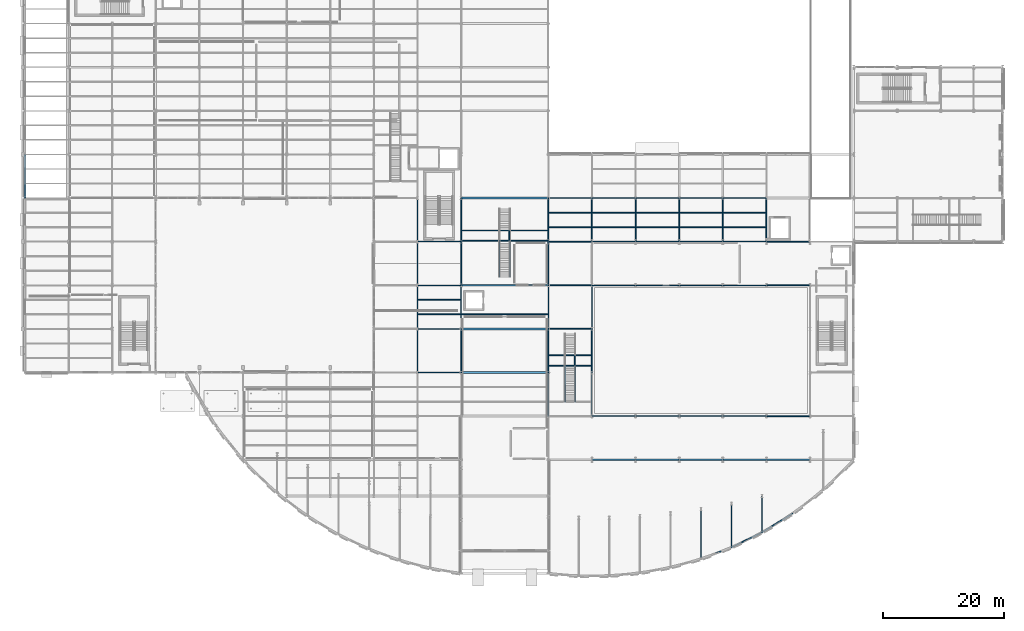
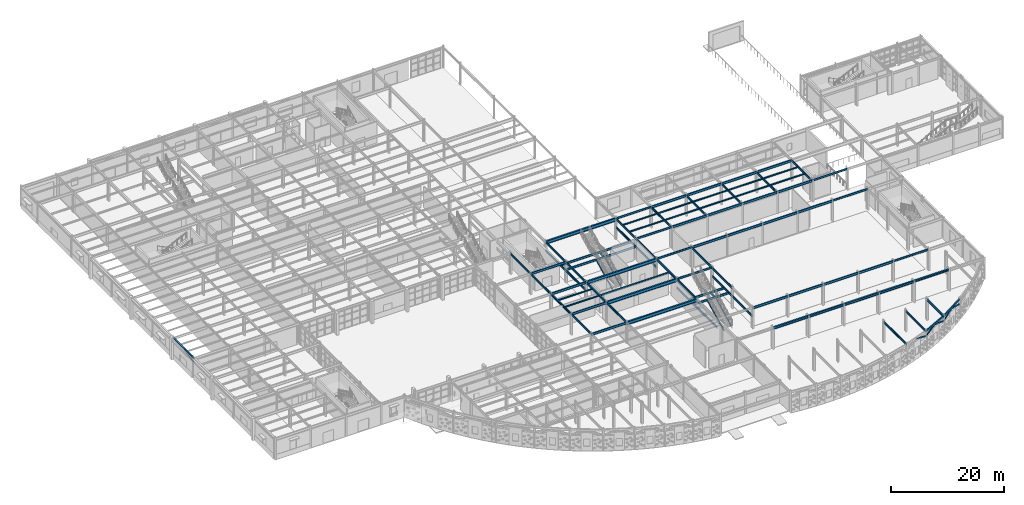
# One storey, part 34 of 83: 84 beams, 10 members.
"""IFC4 building model written with IfcOpenShell, lengths in metres."""

from ifc_helpers import new_model, si_unit, direction, frame, origin, origin_2d, place, context, subcontext, project, spatial, hollow_rectangle, i_section, extrude, material, material_profile, profile_set, type_object, element, save


model = new_model("IFC4")

# Units and contexts
model_context = context("Model", 3, precision=1e-05, world=origin(), true_north=direction((0.0, 1.0)))
body_context = subcontext(model_context, "Body", "Model", "MODEL_VIEW")
ifc_project = project(units=[si_unit("LENGTHUNIT", "METRE"), si_unit("AREAUNIT", "SQUARE_METRE"), si_unit("VOLUMEUNIT", "CUBIC_METRE"), si_unit("PLANEANGLEUNIT", "RADIAN"), si_unit("MASSUNIT", "GRAM", prefix="KILO")], contexts=[model_context])

# Site, building, storey
site_placement = place(None, origin())
site = spatial("IfcSite", under=ifc_project, at=site_placement, CompositionType="ELEMENT")
building_placement = place(site_placement, origin())
building = spatial("IfcBuilding", under=site, at=building_placement, Name="Solvadek Multi-Sports Hall", CompositionType="ELEMENT")
storey_placement = place(building_placement, origin())
storey = spatial("IfcBuildingStorey", under=building, at=storey_placement, Name="L00", CompositionType="ELEMENT", Elevation=0.0)

# Members
ifc_material_1 = material(Name="Steel E250 (250 MPa)", Category="steel")
ifc_material_profile_1 = material_profile(ifc_material_1, hollow_rectangle(XDim=0.14990234375, YDim=0.300048828125, WallThickness=0.010009765625, at=origin_2d()), Name="RHS 300x150x10")
ifc_profile_set_1 = profile_set([ifc_material_profile_1], Name="Steel E250 (250 MPa)")
member_type_1 = type_object("IfcMemberType", Name="INT-SGR-RHS300", PredefinedType="STRINGER", material=ifc_profile_set_1)
for number, where, z_axis, x_axis, name in (
    (1, (80.06494140625, 36.199951171875, -0.47998046875), (0.0, 0.889594277136, 0.456751597793), (-1.0, 0.0, 0.0), "Stair ST-07 Steel Stringer #1"),
    (2, (78.3349609375, 36.199951171875, -0.47998046875), (0.0, 0.889594277136, 0.456751597793), (-1.0, 0.0, 0.0), "Stair ST-07 Steel Stringer #2"),
    (3, (90.840087890625, 15.60009765625, -0.47998046875), (0.0, 0.889594277136, 0.456751597793), (-1.0, 0.0, 0.0), "Stair ST-09 Steel Stringer #5"),
    (4, (89.159912109375, 15.60009765625, -0.47998046875), (0.0, 0.889594277136, 0.456751597793), (-1.0, 0.0, 0.0), "Stair ST-09 Steel Stringer #6"),
):
    element("IfcMember", number, at=place(storey_placement, frame(where, z_axis=z_axis, x_axis=x_axis)), inside=storey, type_object=member_type_1, Name=name, PredefinedType="STRINGER", context=body_context, shape_type="SweptSolid", body=[
        extrude(hollow_rectangle(XDim=0.14990234375, YDim=0.300048828125, WallThickness=0.010009765625, at=origin_2d()), origin(), (0.0, 0.0, 1.0), 6.6884765625),
    ])
ifc_material_2 = material(Name="Steel E350 (350 MPa)", Category="steel")
ifc_material_profile_2 = material_profile(ifc_material_2, hollow_rectangle(XDim=0.14990234375, YDim=0.25, WallThickness=0.010009765625, at=origin_2d()), Name="RHS 250x150x10")
ifc_profile_set_2 = profile_set([ifc_material_profile_2], Name="Steel E350 (350 MPa)")
member_type_2 = type_object("IfcMemberType", Name="STR-ARC-RHS250", PredefinedType="USERDEFINED", material=ifc_profile_set_2)
member_1_placement = place(storey_placement, frame((114.1201171875, -9.39599609375, 4.219970703125), z_axis=(0.890332949861, 0.335912848247, -0.307359393504), x_axis=(-0.353000357457, 0.935623186777, 0.0)))
element("IfcMember", 5, at=member_1_placement, inside=storey, type_object=member_type_2, Name="Crescent Pointed Revak Arch E-6R", ObjectType="ARCH_SEGMENT", PredefinedType="USERDEFINED", context=body_context, shape_type="SweptSolid", body=[
    extrude(hollow_rectangle(XDim=0.14990234375, YDim=0.25, WallThickness=0.010009765625, at=origin_2d()), origin(), (0.0, 0.0, 1.0), 2.830078125),
])
for number, where, z_axis, x_axis, name in (
    (6, (116.639892578125, -8.4453125, 3.35009765625), (0.857871765846, 0.419959894674, 0.296124501231), (-0.43967982066, 0.898154583189, 0.0), "Crescent Pointed Revak Arch E-7L"),
    (7, (119.159912109375, -7.211669921875, 4.219970703125), (0.857871765846, 0.419959894674, -0.296124501231), (-0.43967982066, 0.898154583189, 0.0), "Crescent Pointed Revak Arch E-7R"),
):
    element("IfcMember", number, at=place(storey_placement, frame(where, z_axis=z_axis, x_axis=x_axis)), inside=storey, type_object=member_type_2, Name=name, ObjectType="ARCH_SEGMENT", PredefinedType="USERDEFINED", context=body_context, shape_type="SweptSolid", body=[
        extrude(hollow_rectangle(XDim=0.14990234375, YDim=0.25, WallThickness=0.010009765625, at=origin_2d()), origin(), (0.0, 0.0, 1.0), 2.9375),
    ])
member_2_placement = place(storey_placement, frame((121.679931640625, -5.97802734375, 3.35009765625), z_axis=(0.815780244942, 0.505179938546, 0.281595137835), x_axis=(-0.52648504415, 0.850184390757, 0.0)))
element("IfcMember", 8, at=member_2_placement, inside=storey, type_object=member_type_2, Name="Crescent Pointed Revak Arch E-8L", ObjectType="ARCH_SEGMENT", PredefinedType="USERDEFINED", context=body_context, shape_type="SweptSolid", body=[
    extrude(hollow_rectangle(XDim=0.14990234375, YDim=0.25, WallThickness=0.010009765625, at=origin_2d()), origin(), (0.0, 0.0, 1.0), 3.089111328125),
])
member_3_placement = place(storey_placement, frame((124.199951171875, -4.41748046875, 4.219970703125), z_axis=(0.815812815159, 0.505121071661, -0.281606380586), x_axis=(-0.526425504843, 0.850221258174, 0.0)))
element("IfcMember", 9, at=member_3_placement, inside=storey, type_object=member_type_2, Name="Crescent Pointed Revak Arch E-8R", ObjectType="ARCH_SEGMENT", PredefinedType="USERDEFINED", context=body_context, shape_type="SweptSolid", body=[
    extrude(hollow_rectangle(XDim=0.14990234375, YDim=0.25, WallThickness=0.010009765625, at=origin_2d()), origin(), (0.0, 0.0, 1.0), 3.0888671875),
])
member_4_placement = place(storey_placement, frame((0.0, 49.199951171875, 3.550048828125), z_axis=(0.0, 0.983123357379, 0.182943882588), x_axis=(-1.0, 0.0, 0.0)))
element("IfcMember", 10, at=member_4_placement, inside=storey, type_object=member_type_2, Name="L00 West Facade Pointed Ottoman Arch 5L", ObjectType="ARCH_SEGMENT", PredefinedType="USERDEFINED", context=body_context, shape_type="SweptSolid", body=[
    extrude(hollow_rectangle(XDim=0.14990234375, YDim=0.25, WallThickness=0.010009765625, at=origin_2d()), origin(), (0.0, 0.0, 1.0), 3.661865234375),
])

# Beams
ifc_material_profile_3 = material_profile(ifc_material_2, i_section(OverallWidth=0.139892578125, OverallDepth=0.39990234375, WebThickness=0.0087890625, FlangeThickness=0.01611328125, at=origin_2d()), Name="ISMB 400")
ifc_profile_set_3 = profile_set([ifc_material_profile_3], Name="Steel E350 (350 MPa)")
beam_type_1 = type_object("IfcBeamType", Name="STR-BM-ISMB400", PredefinedType="BEAM", material=ifc_profile_set_3)
for number, where, z_axis, x_axis, name in (
    (11, (122.39990234375, 13.199951171875, 4.3798828125), (1.0, 0.0, 0.0), (0.0, 1.0, 0.0), "L00 Girder B-10 #554"),
    (12, (86.39990234375, 27.60009765625, 4.3798828125), (1.0, 0.0, 0.0), (0.0, 1.0, 0.0), "L00 Girder B-10 #573"),
    (13, (86.39990234375, 34.800048828125, 4.3798828125), (1.0, 0.0, 0.0), (0.0, 1.0, 0.0), "L00 Girder B-10 #580"),
    (14, (122.39990234375, 34.800048828125, 4.3798828125), (1.0, 0.0, 0.0), (0.0, 1.0, 0.0), "L00 Girder B-10 #585"),
    (15, (86.39990234375, 42.0, 4.3798828125), (1.0, 0.0, 0.0), (0.0, 1.0, 0.0), "L00 Girder B-10 #592"),
    (16, (122.39990234375, 42.0, 4.3798828125), (1.0, 0.0, 0.0), (0.0, 1.0, 0.0), "L00 Girder B-10 #597"),
    (17, (86.39990234375, 49.199951171875, 4.3798828125), (1.0, 0.0, 0.0), (0.0, 1.0, 0.0), "L00 Girder B-10 #613"),
):
    element("IfcBeam", number, at=place(storey_placement, frame(where, z_axis=z_axis, x_axis=x_axis)), inside=storey, type_object=beam_type_1, Name=name, PredefinedType="BEAM", context=body_context, shape_type="SweptSolid", body=[
        extrude(i_section(OverallWidth=0.139892578125, OverallDepth=0.39990234375, WebThickness=0.0087890625, FlangeThickness=0.01611328125, at=origin_2d()), origin(), (0.0, 0.0, 1.0), 7.2001953125),
    ])
ifc_material_profile_4 = material_profile(ifc_material_2, i_section(OverallWidth=0.14990234375, OverallDepth=0.449951171875, WebThickness=0.009521484375, FlangeThickness=0.017333984375, at=origin_2d()), Name="ISMB 450")
ifc_profile_set_4 = profile_set([ifc_material_profile_4], Name="Steel E350 (350 MPa)")
beam_type_2 = type_object("IfcBeamType", Name="STR-BM-ISMB450", PredefinedType="BEAM", material=ifc_profile_set_4)
beam_1_placement = place(storey_placement, frame((64.800048828125, 20.39990234375, 4.35498046875), z_axis=(0.0, 1.0, 0.0), x_axis=(-1.0, 0.0, 0.0)))
element("IfcBeam", 18, at=beam_1_placement, inside=storey, type_object=beam_type_2, Name="L00 Girder B-09 #842", PredefinedType="BEAM", context=body_context, shape_type="SweptSolid", body=[
    extrude(i_section(OverallWidth=0.14990234375, OverallDepth=0.449951171875, WebThickness=0.009521484375, FlangeThickness=0.017333984375, at=origin_2d()), origin(), (0.0, 0.0, 1.0), 7.2001953125),
])
for number, where, z_axis, x_axis, name in (
    (19, (64.800048828125, 34.800048828125, 4.35498046875), (0.0, 1.0, 0.0), (-1.0, 0.0, 0.0), "L00 Girder B-09 #844"),
    (20, (64.800048828125, 42.0, 4.35498046875), (0.0, 1.0, 0.0), (-1.0, 0.0, 0.0), "L00 Girder B-09 #845"),
):
    element("IfcBeam", number, at=place(storey_placement, frame(where, z_axis=z_axis, x_axis=x_axis)), inside=storey, type_object=beam_type_2, Name=name, PredefinedType="BEAM", context=body_context, shape_type="SweptSolid", body=[
        extrude(i_section(OverallWidth=0.14990234375, OverallDepth=0.449951171875, WebThickness=0.009521484375, FlangeThickness=0.017333984375, at=origin_2d()), origin(), (0.0, 0.0, 1.0), 7.199951171875),
    ])
beam_2_placement = place(storey_placement, frame((72.0, 20.39990234375, 4.35498046875), z_axis=(0.0, 1.0, 0.0), x_axis=(-1.0, 0.0, 0.0)))
element("IfcBeam", 21, at=beam_2_placement, inside=storey, type_object=beam_type_2, Name="L00 Girder B-09 #862", PredefinedType="BEAM", context=body_context, shape_type="SweptSolid", body=[
    extrude(i_section(OverallWidth=0.14990234375, OverallDepth=0.449951171875, WebThickness=0.009521484375, FlangeThickness=0.017333984375, at=origin_2d()), origin(), (0.0, 0.0, 1.0), 7.2001953125),
])
for number, where, z_axis, x_axis, name in (
    (22, (72.0, 34.800048828125, 4.35498046875), (0.0, 1.0, 0.0), (-1.0, 0.0, 0.0), "L00 Girder B-09 #864"),
    (23, (72.0, 42.0, 4.35498046875), (0.0, 1.0, 0.0), (-1.0, 0.0, 0.0), "L00 Girder B-09 #865"),
):
    element("IfcBeam", number, at=place(storey_placement, frame(where, z_axis=z_axis, x_axis=x_axis)), inside=storey, type_object=beam_type_2, Name=name, PredefinedType="BEAM", context=body_context, shape_type="SweptSolid", body=[
        extrude(i_section(OverallWidth=0.14990234375, OverallDepth=0.449951171875, WebThickness=0.009521484375, FlangeThickness=0.017333984375, at=origin_2d()), origin(), (0.0, 0.0, 1.0), 7.199951171875),
    ])
beam_3_placement = place(storey_placement, frame((86.39990234375, 20.39990234375, 4.35498046875), z_axis=(0.0, 1.0, 0.0), x_axis=(-1.0, 0.0, 0.0)))
element("IfcBeam", 24, at=beam_3_placement, inside=storey, type_object=beam_type_2, Name="L00 Girder B-09 #880", PredefinedType="BEAM", context=body_context, shape_type="SweptSolid", body=[
    extrude(i_section(OverallWidth=0.14990234375, OverallDepth=0.449951171875, WebThickness=0.009521484375, FlangeThickness=0.017333984375, at=origin_2d()), origin(), (0.0, 0.0, 1.0), 7.2001953125),
])
for number, where, z_axis, x_axis, name in (
    (25, (86.39990234375, 34.800048828125, 4.35498046875), (0.0, 1.0, 0.0), (-1.0, 0.0, 0.0), "L00 Girder B-09 #882"),
    (26, (86.39990234375, 42.0, 4.35498046875), (0.0, 1.0, 0.0), (-1.0, 0.0, 0.0), "L00 Girder B-09 #883"),
):
    element("IfcBeam", number, at=place(storey_placement, frame(where, z_axis=z_axis, x_axis=x_axis)), inside=storey, type_object=beam_type_2, Name=name, PredefinedType="BEAM", context=body_context, shape_type="SweptSolid", body=[
        extrude(i_section(OverallWidth=0.14990234375, OverallDepth=0.449951171875, WebThickness=0.009521484375, FlangeThickness=0.017333984375, at=origin_2d()), origin(), (0.0, 0.0, 1.0), 7.199951171875),
    ])
beam_4_placement = place(storey_placement, frame((93.60009765625, 20.39990234375, 4.35498046875), z_axis=(0.0, 1.0, 0.0), x_axis=(-1.0, 0.0, 0.0)))
element("IfcBeam", 27, at=beam_4_placement, inside=storey, type_object=beam_type_2, Name="L00 Girder B-09 #895", PredefinedType="BEAM", context=body_context, shape_type="SweptSolid", body=[
    extrude(i_section(OverallWidth=0.14990234375, OverallDepth=0.449951171875, WebThickness=0.009521484375, FlangeThickness=0.017333984375, at=origin_2d()), origin(), (0.0, 0.0, 1.0), 7.2001953125),
])
for number, where, z_axis, x_axis, name in (
    (28, (93.60009765625, 42.0, 4.35498046875), (0.0, 1.0, 0.0), (-1.0, 0.0, 0.0), "L00 Girder B-09 #898"),
    (29, (100.800048828125, 42.0, 4.35498046875), (0.0, 1.0, 0.0), (-1.0, 0.0, 0.0), "L00 Girder B-09 #903"),
    (30, (108.0, 42.0, 4.35498046875), (0.0, 1.0, 0.0), (-1.0, 0.0, 0.0), "L00 Girder B-09 #909"),
):
    element("IfcBeam", number, at=place(storey_placement, frame(where, z_axis=z_axis, x_axis=x_axis)), inside=storey, type_object=beam_type_2, Name=name, PredefinedType="BEAM", context=body_context, shape_type="SweptSolid", body=[
        extrude(i_section(OverallWidth=0.14990234375, OverallDepth=0.449951171875, WebThickness=0.009521484375, FlangeThickness=0.017333984375, at=origin_2d()), origin(), (0.0, 0.0, 1.0), 7.199951171875),
    ])
beam_5_placement = place(storey_placement, frame((111.60009765625, -10.346435546875, 4.35498046875), z_axis=(0.0, 1.0, 0.0), x_axis=(-1.0, 0.0, 0.0)))
element("IfcBeam", 31, at=beam_5_placement, inside=storey, type_object=beam_type_2, Name="L00 Girder B-09 #911", PredefinedType="BEAM", context=body_context, shape_type="SweptSolid", body=[
    extrude(i_section(OverallWidth=0.14990234375, OverallDepth=0.449951171875, WebThickness=0.009521484375, FlangeThickness=0.017333984375, at=origin_2d()), origin(), (0.0, 0.0, 1.0), 8.173095703125),
])
beam_6_placement = place(storey_placement, frame((115.199951171875, 42.0, 4.35498046875), z_axis=(0.0, 1.0, 0.0), x_axis=(-1.0, 0.0, 0.0)))
element("IfcBeam", 32, at=beam_6_placement, inside=storey, type_object=beam_type_2, Name="L00 Girder B-09 #914", PredefinedType="BEAM", context=body_context, shape_type="SweptSolid", body=[
    extrude(i_section(OverallWidth=0.14990234375, OverallDepth=0.449951171875, WebThickness=0.009521484375, FlangeThickness=0.017333984375, at=origin_2d()), origin(), (0.0, 0.0, 1.0), 7.199951171875),
])
beam_7_placement = place(storey_placement, frame((116.639892578125, -8.4453125, 4.35498046875), z_axis=(0.0, 1.0, 0.0), x_axis=(-1.0, 0.0, 0.0)))
element("IfcBeam", 33, at=beam_7_placement, inside=storey, type_object=beam_type_2, Name="L00 Girder B-09 #916", PredefinedType="BEAM", context=body_context, shape_type="SweptSolid", body=[
    extrude(i_section(OverallWidth=0.14990234375, OverallDepth=0.449951171875, WebThickness=0.009521484375, FlangeThickness=0.017333984375, at=origin_2d()), origin(), (0.0, 0.0, 1.0), 7.22265625),
])
beam_8_placement = place(storey_placement, frame((122.39990234375, 42.0, 4.35498046875), z_axis=(0.0, 1.0, 0.0), x_axis=(-1.0, 0.0, 0.0)))
element("IfcBeam", 34, at=beam_8_placement, inside=storey, type_object=beam_type_2, Name="L00 Girder B-09 #920", PredefinedType="BEAM", context=body_context, shape_type="SweptSolid", body=[
    extrude(i_section(OverallWidth=0.14990234375, OverallDepth=0.449951171875, WebThickness=0.009521484375, FlangeThickness=0.017333984375, at=origin_2d()), origin(), (0.0, 0.0, 1.0), 7.199951171875),
])
ifc_material_profile_5 = material_profile(ifc_material_2, i_section(OverallWidth=0.179931640625, OverallDepth=0.5, WebThickness=0.01025390625, FlangeThickness=0.01708984375, at=origin_2d()), Name="ISMB 500")
ifc_profile_set_5 = profile_set([ifc_material_profile_5], Name="Steel E350 (350 MPa)")
beam_type_3 = type_object("IfcBeamType", Name="STR-BM-ISMB500", PredefinedType="BEAM", material=ifc_profile_set_5)
for number, where, z_axis, x_axis, name in (
    (35, (93.60009765625, 13.199951171875, 4.330078125), (1.0, 0.0, 0.0), (0.0, 1.0, 0.0), "L00 Girder B-07 #550"),
    (36, (100.800048828125, 13.199951171875, 4.330078125), (1.0, 0.0, 0.0), (0.0, 1.0, 0.0), "L00 Girder B-07 #551"),
    (37, (108.0, 13.199951171875, 4.330078125), (1.0, 0.0, 0.0), (0.0, 1.0, 0.0), "L00 Girder B-07 #552"),
    (38, (115.199951171875, 13.199951171875, 4.330078125), (1.0, 0.0, 0.0), (0.0, 1.0, 0.0), "L00 Girder B-07 #553"),
    (39, (64.800048828125, 20.39990234375, 4.330078125), (1.0, 0.0, 0.0), (0.0, 1.0, 0.0), "L00 Girder B-07 #565"),
    (40, (64.800048828125, 27.60009765625, 4.330078125), (1.0, 0.0, 0.0), (0.0, 1.0, 0.0), "L00 Girder B-07 #571"),
    (41, (64.800048828125, 34.800048828125, 4.330078125), (1.0, 0.0, 0.0), (0.0, 1.0, 0.0), "L00 Girder B-07 #578"),
    (42, (93.60009765625, 34.800048828125, 4.330078125), (1.0, 0.0, 0.0), (0.0, 1.0, 0.0), "L00 Girder B-07 #581"),
    (43, (100.800048828125, 34.800048828125, 4.330078125), (1.0, 0.0, 0.0), (0.0, 1.0, 0.0), "L00 Girder B-07 #582"),
    (44, (108.0, 34.800048828125, 4.330078125), (1.0, 0.0, 0.0), (0.0, 1.0, 0.0), "L00 Girder B-07 #583"),
    (45, (115.199951171875, 34.800048828125, 4.330078125), (1.0, 0.0, 0.0), (0.0, 1.0, 0.0), "L00 Girder B-07 #584"),
    (46, (64.800048828125, 42.0, 4.330078125), (1.0, 0.0, 0.0), (0.0, 1.0, 0.0), "L00 Girder B-07 #591"),
    (47, (93.60009765625, 42.0, 4.330078125), (1.0, 0.0, 0.0), (0.0, 1.0, 0.0), "L00 Girder B-07 #593"),
    (48, (100.800048828125, 42.0, 4.330078125), (1.0, 0.0, 0.0), (0.0, 1.0, 0.0), "L00 Girder B-07 #594"),
    (49, (108.0, 42.0, 4.330078125), (1.0, 0.0, 0.0), (0.0, 1.0, 0.0), "L00 Girder B-07 #595"),
    (50, (115.199951171875, 42.0, 4.330078125), (1.0, 0.0, 0.0), (0.0, 1.0, 0.0), "L00 Girder B-07 #596"),
    (51, (93.60009765625, 49.199951171875, 4.330078125), (1.0, 0.0, 0.0), (0.0, 1.0, 0.0), "L00 Girder B-07 #614"),
    (52, (100.800048828125, 49.199951171875, 4.330078125), (1.0, 0.0, 0.0), (0.0, 1.0, 0.0), "L00 Girder B-07 #615"),
    (53, (108.0, 49.199951171875, 4.330078125), (1.0, 0.0, 0.0), (0.0, 1.0, 0.0), "L00 Girder B-07 #616"),
    (54, (115.199951171875, 49.199951171875, 4.330078125), (1.0, 0.0, 0.0), (0.0, 1.0, 0.0), "L00 Girder B-07 #617"),
):
    element("IfcBeam", number, at=place(storey_placement, frame(where, z_axis=z_axis, x_axis=x_axis)), inside=storey, type_object=beam_type_3, Name=name, PredefinedType="BEAM", context=body_context, shape_type="SweptSolid", body=[
        extrude(i_section(OverallWidth=0.179931640625, OverallDepth=0.5, WebThickness=0.01025390625, FlangeThickness=0.01708984375, at=origin_2d()), origin(), (0.0, 0.0, 1.0), 7.199951171875),
    ])
ifc_material_profile_6 = material_profile(ifc_material_2, i_section(OverallWidth=0.14990234375, OverallDepth=0.449951171875, WebThickness=0.009521484375, FlangeThickness=0.017333984375, at=origin_2d()), Name="ISMB 450")
ifc_profile_set_6 = profile_set([ifc_material_profile_6], Name="Steel E350 (350 MPa)")
beam_type_4 = type_object("IfcBeamType", Name="STR-BM-LND450", PredefinedType="BEAM", material=ifc_profile_set_6)
for number, where, z_axis, x_axis, name in (
    (55, (72.0, 34.800048828125, 2.574951171875), (0.0, 1.0, 0.0), (-1.0, 0.0, 0.0), "Stair ST-07 Landing Edge Girder #1"),
    (56, (86.39990234375, 34.800048828125, 2.574951171875), (0.0, 1.0, 0.0), (-1.0, 0.0, 0.0), "Stair ST-07 Landing Edge Girder #2"),
):
    element("IfcBeam", number, at=place(storey_placement, frame(where, z_axis=z_axis, x_axis=x_axis)), inside=storey, type_object=beam_type_4, Name=name, PredefinedType="BEAM", context=body_context, shape_type="SweptSolid", body=[
        extrude(i_section(OverallWidth=0.14990234375, OverallDepth=0.449951171875, WebThickness=0.009521484375, FlangeThickness=0.017333984375, at=origin_2d()), origin(), (0.0, 0.0, 1.0), 14.39990234375),
    ])
for number, where, z_axis, x_axis, name in (
    (57, (72.074951171875, 42.14990234375, 2.574951171875), (1.0, 0.0, 0.0), (0.0, 1.0, 0.0), "Stair ST-07 Landing Trimmer Girder #1"),
    (58, (72.074951171875, 43.85009765625, 2.574951171875), (1.0, 0.0, 0.0), (0.0, 1.0, 0.0), "Stair ST-07 Landing Trimmer Girder #2"),
):
    element("IfcBeam", number, at=place(storey_placement, frame(where, z_axis=z_axis, x_axis=x_axis)), inside=storey, type_object=beam_type_4, Name=name, PredefinedType="BEAM", context=body_context, shape_type="SweptSolid", body=[
        extrude(i_section(OverallWidth=0.14990234375, OverallDepth=0.449951171875, WebThickness=0.009521484375, FlangeThickness=0.017333984375, at=origin_2d()), origin(), (0.0, 0.0, 1.0), 14.25),
    ])
beam_9_placement = place(storey_placement, frame((79.97705078125, 42.22509765625, 2.574951171875), z_axis=(0.0, 1.0, 0.0), x_axis=(-1.0, 0.0, 0.0)))
element("IfcBeam", 59, at=beam_9_placement, inside=storey, type_object=beam_type_4, Name="Stair ST-07 Landing Diaphragm Rib", PredefinedType="BEAM", context=body_context, shape_type="SweptSolid", body=[
    extrude(i_section(OverallWidth=0.14990234375, OverallDepth=0.449951171875, WebThickness=0.009521484375, FlangeThickness=0.017333984375, at=origin_2d()), origin(), (0.0, 0.0, 1.0), 1.5498046875),
])
for number, where, z_axis, x_axis, name in (
    (60, (86.39990234375, 13.199951171875, 2.574951171875), (0.0, 1.0, 0.0), (-1.0, 0.0, 0.0), "Stair ST-09 Landing Edge Girder #1"),
    (61, (93.60009765625, 13.199951171875, 2.574951171875), (0.0, 1.0, 0.0), (-1.0, 0.0, 0.0), "Stair ST-09 Landing Edge Girder #2"),
):
    element("IfcBeam", number, at=place(storey_placement, frame(where, z_axis=z_axis, x_axis=x_axis)), inside=storey, type_object=beam_type_4, Name=name, PredefinedType="BEAM", context=body_context, shape_type="SweptSolid", body=[
        extrude(i_section(OverallWidth=0.14990234375, OverallDepth=0.449951171875, WebThickness=0.009521484375, FlangeThickness=0.017333984375, at=origin_2d()), origin(), (0.0, 0.0, 1.0), 14.400146484375),
    ])
for number, where, z_axis, x_axis, name in (
    (62, (86.47509765625, 21.550048828125, 2.574951171875), (1.0, 0.0, 0.0), (0.0, 1.0, 0.0), "Stair ST-09 Landing Trimmer Girder #1"),
    (63, (86.47509765625, 23.25, 2.574951171875), (1.0, 0.0, 0.0), (0.0, 1.0, 0.0), "Stair ST-09 Landing Trimmer Girder #2"),
):
    element("IfcBeam", number, at=place(storey_placement, frame(where, z_axis=z_axis, x_axis=x_axis)), inside=storey, type_object=beam_type_4, Name=name, PredefinedType="BEAM", context=body_context, shape_type="SweptSolid", body=[
        extrude(i_section(OverallWidth=0.14990234375, OverallDepth=0.449951171875, WebThickness=0.009521484375, FlangeThickness=0.017333984375, at=origin_2d()), origin(), (0.0, 0.0, 1.0), 7.0498046875),
    ])
beam_10_placement = place(storey_placement, frame((90.756103515625, 21.625, 2.574951171875), z_axis=(0.0, 1.0, 0.0), x_axis=(-1.0, 0.0, 0.0)))
element("IfcBeam", 64, at=beam_10_placement, inside=storey, type_object=beam_type_4, Name="Stair ST-09 Landing Diaphragm Rib", PredefinedType="BEAM", context=body_context, shape_type="SweptSolid", body=[
    extrude(i_section(OverallWidth=0.14990234375, OverallDepth=0.449951171875, WebThickness=0.009521484375, FlangeThickness=0.017333984375, at=origin_2d()), origin(), (0.0, 0.0, 1.0), 1.550048828125),
])
ifc_material_profile_7 = material_profile(ifc_material_2, i_section(OverallWidth=0.18994140625, OverallDepth=0.449951171875, WebThickness=0.009521484375, FlangeThickness=0.0146484375, at=origin_2d()), Name="NPB 450")
ifc_profile_set_7 = profile_set([ifc_material_profile_7], Name="Steel E350 (350 MPa)")
beam_type_5 = type_object("IfcBeamType", Name="STR-BM-NPB450", PredefinedType="BEAM", material=ifc_profile_set_7)
for number, where, z_axis, x_axis, name in (
    (65, (64.800048828125, 27.60009765625, 4.35498046875), (0.0, 1.0, 0.0), (-1.0, 0.0, 0.0), "L00 Girder B-08 #843"),
    (66, (72.0, 27.60009765625, 4.35498046875), (0.0, 1.0, 0.0), (-1.0, 0.0, 0.0), "L00 Girder B-08 #863"),
    (67, (86.39990234375, 27.60009765625, 4.35498046875), (0.0, 1.0, 0.0), (-1.0, 0.0, 0.0), "L00 Girder B-08 #881"),
    (68, (93.60009765625, 27.60009765625, 4.35498046875), (0.0, 1.0, 0.0), (-1.0, 0.0, 0.0), "L00 Girder B-08 #896"),
):
    element("IfcBeam", number, at=place(storey_placement, frame(where, z_axis=z_axis, x_axis=x_axis)), inside=storey, type_object=beam_type_5, Name=name, PredefinedType="BEAM", context=body_context, shape_type="SweptSolid", body=[
        extrude(i_section(OverallWidth=0.18994140625, OverallDepth=0.449951171875, WebThickness=0.009521484375, FlangeThickness=0.0146484375, at=origin_2d()), origin(), (0.0, 0.0, 1.0), 7.199951171875),
    ])
beam_11_placement = place(storey_placement, frame((121.679931640625, -5.97802734375, 4.35498046875), z_axis=(0.0, 1.0, 0.0), x_axis=(-1.0, 0.0, 0.0)))
element("IfcBeam", 69, at=beam_11_placement, inside=storey, type_object=beam_type_5, Name="L00 Girder B-08 #917", PredefinedType="BEAM", context=body_context, shape_type="SweptSolid", body=[
    extrude(i_section(OverallWidth=0.18994140625, OverallDepth=0.449951171875, WebThickness=0.009521484375, FlangeThickness=0.0146484375, at=origin_2d()), origin(), (0.0, 0.0, 1.0), 5.989013671875),
])
ifc_material_profile_8 = material_profile(ifc_material_2, i_section(OverallWidth=0.300048828125, OverallDepth=0.699951171875, WebThickness=0.01708984375, FlangeThickness=0.031982421875, at=origin_2d()), Name="WPB 700")
ifc_profile_set_8 = profile_set([ifc_material_profile_8], Name="Steel E350 (350 MPa)")
beam_type_6 = type_object("IfcBeamType", Name="STR-BM-WPB700", PredefinedType="BEAM", material=ifc_profile_set_8)
for number, where, z_axis, x_axis, name in (
    (70, (72.0, 20.39990234375, 4.22998046875), (1.0, 0.0, 0.0), (0.0, 1.0, 0.0), "L00 Girder B-01 #566"),
    (71, (72.0, 27.60009765625, 4.22998046875), (1.0, 0.0, 0.0), (0.0, 1.0, 0.0), "L00 Girder B-01 #572"),
    (72, (72.0, 34.800048828125, 4.22998046875), (1.0, 0.0, 0.0), (0.0, 1.0, 0.0), "L00 Girder B-01 #579"),
    (73, (72.0, 49.199951171875, 4.22998046875), (1.0, 0.0, 0.0), (0.0, 1.0, 0.0), "L00 Girder B-01 #612"),
):
    element("IfcBeam", number, at=place(storey_placement, frame(where, z_axis=z_axis, x_axis=x_axis)), inside=storey, type_object=beam_type_6, Name=name, PredefinedType="BEAM", context=body_context, shape_type="SweptSolid", body=[
        extrude(i_section(OverallWidth=0.300048828125, OverallDepth=0.699951171875, WebThickness=0.01708984375, FlangeThickness=0.031982421875, at=origin_2d()), origin(), (0.0, 0.0, 1.0), 14.39990234375),
    ])
ifc_material_profile_9 = material_profile(ifc_material_2, i_section(OverallWidth=0.139892578125, OverallDepth=0.300048828125, WebThickness=0.0078125, FlangeThickness=0.01318359375, at=origin_2d()), Name="ISMB 300")
ifc_profile_set_9 = profile_set([ifc_material_profile_9], Name="Steel E350 (350 MPa)")
beam_type_7 = type_object("IfcBeamType", Name="STR-JST-ISMB300", PredefinedType="JOIST", material=ifc_profile_set_9)
for number, where, z_axis, x_axis, name in (
    (74, (64.89501953125, 30.0, 4.429931640625), (1.0, 0.0, 0.0), (0.0, 1.0, 0.0), "L00 Composite Joist J-03 #410"),
    (75, (64.89501953125, 32.39990234375, 4.429931640625), (1.0, 0.0, 0.0), (0.0, 1.0, 0.0), "L00 Composite Joist J-03 #411"),
):
    element("IfcBeam", number, at=place(storey_placement, frame(where, z_axis=z_axis, x_axis=x_axis)), inside=storey, type_object=beam_type_7, Name=name, PredefinedType="JOIST", context=body_context, shape_type="SweptSolid", body=[
        extrude(i_section(OverallWidth=0.139892578125, OverallDepth=0.300048828125, WebThickness=0.0078125, FlangeThickness=0.01318359375, at=origin_2d()), origin(), (0.0, 0.0, 1.0), 7.010009765625),
    ])
for number, where, z_axis, x_axis, name in (
    (76, (86.47509765625, 44.39990234375, 4.429931640625), (1.0, 0.0, 0.0), (0.0, 1.0, 0.0), "L00 Composite Joist J-03 #432"),
    (77, (86.47509765625, 46.800048828125, 4.429931640625), (1.0, 0.0, 0.0), (0.0, 1.0, 0.0), "L00 Composite Joist J-03 #433"),
):
    element("IfcBeam", number, at=place(storey_placement, frame(where, z_axis=z_axis, x_axis=x_axis)), inside=storey, type_object=beam_type_7, Name=name, PredefinedType="JOIST", context=body_context, shape_type="SweptSolid", body=[
        extrude(i_section(OverallWidth=0.139892578125, OverallDepth=0.300048828125, WebThickness=0.0078125, FlangeThickness=0.01318359375, at=origin_2d()), origin(), (0.0, 0.0, 1.0), 7.0498046875),
    ])
for number, where, z_axis, x_axis, name in (
    (78, (93.675048828125, 44.39990234375, 4.429931640625), (1.0, 0.0, 0.0), (0.0, 1.0, 0.0), "L00 Composite Joist J-03 #434"),
    (79, (93.675048828125, 46.800048828125, 4.429931640625), (1.0, 0.0, 0.0), (0.0, 1.0, 0.0), "L00 Composite Joist J-03 #435"),
    (80, (100.875, 44.39990234375, 4.429931640625), (1.0, 0.0, 0.0), (0.0, 1.0, 0.0), "L00 Composite Joist J-03 #436"),
    (81, (100.875, 46.800048828125, 4.429931640625), (1.0, 0.0, 0.0), (0.0, 1.0, 0.0), "L00 Composite Joist J-03 #437"),
    (82, (108.074951171875, 44.39990234375, 4.429931640625), (1.0, 0.0, 0.0), (0.0, 1.0, 0.0), "L00 Composite Joist J-03 #438"),
    (83, (108.074951171875, 46.800048828125, 4.429931640625), (1.0, 0.0, 0.0), (0.0, 1.0, 0.0), "L00 Composite Joist J-03 #439"),
    (84, (115.27490234375, 44.39990234375, 4.429931640625), (1.0, 0.0, 0.0), (0.0, 1.0, 0.0), "L00 Composite Joist J-03 #440"),
    (85, (115.27490234375, 46.800048828125, 4.429931640625), (1.0, 0.0, 0.0), (0.0, 1.0, 0.0), "L00 Composite Joist J-03 #441"),
):
    element("IfcBeam", number, at=place(storey_placement, frame(where, z_axis=z_axis, x_axis=x_axis)), inside=storey, type_object=beam_type_7, Name=name, PredefinedType="JOIST", context=body_context, shape_type="SweptSolid", body=[
        extrude(i_section(OverallWidth=0.139892578125, OverallDepth=0.300048828125, WebThickness=0.0078125, FlangeThickness=0.01318359375, at=origin_2d()), origin(), (0.0, 0.0, 1.0), 7.050048828125),
    ])
ifc_material_profile_10 = material_profile(ifc_material_2, i_section(OverallWidth=0.139892578125, OverallDepth=0.35009765625, WebThickness=0.008056640625, FlangeThickness=0.01416015625, at=origin_2d()), Name="ISMB 350")
ifc_profile_set_10 = profile_set([ifc_material_profile_10], Name="Steel E350 (350 MPa)")
beam_type_8 = type_object("IfcBeamType", Name="STR-JST-ISMB350", PredefinedType="JOIST", material=ifc_profile_set_10)
beam_12_placement = place(storey_placement, frame((72.094970703125, 30.0, 4.405029296875), z_axis=(1.0, 0.0, 0.0), x_axis=(0.0, 1.0, 0.0)))
element("IfcBeam", 86, at=beam_12_placement, inside=storey, type_object=beam_type_8, Name="L00 Composite Joist J-01 #412", PredefinedType="JOIST", context=body_context, shape_type="SweptSolid", body=[
    extrude(i_section(OverallWidth=0.139892578125, OverallDepth=0.35009765625, WebThickness=0.008056640625, FlangeThickness=0.01416015625, at=origin_2d()), origin(), (0.0, 0.0, 1.0), 14.2099609375),
])
ifc_material_profile_11 = material_profile(ifc_material_2, hollow_rectangle(XDim=0.199951171875, YDim=0.35009765625, WallThickness=0.011962890625, at=origin_2d()), Name="RHS 350x200x12")
ifc_profile_set_11 = profile_set([ifc_material_profile_11], Name="Steel E350 (350 MPa)")
beam_type_9 = type_object("IfcBeamType", Name="STR-SPN-RHS350", PredefinedType="SPANDREL", material=ifc_profile_set_11)
beam_13_placement = place(storey_placement, frame((116.639892578125, -8.4453125, 4.405029296875), z_axis=(0.898154583189, 0.43967982066, 0.0), x_axis=(-0.43967982066, 0.898154583189, 0.0)))
element("IfcBeam", 87, at=beam_13_placement, inside=storey, type_object=beam_type_9, Name="L00 Curved Crescent Spandrel #35", PredefinedType="SPANDREL", context=body_context, shape_type="SweptSolid", body=[
    extrude(hollow_rectangle(XDim=0.199951171875, YDim=0.35009765625, WallThickness=0.011962890625, at=origin_2d()), origin(), (0.0, 0.0, 1.0), 5.611572265625),
])
beam_14_placement = place(storey_placement, frame((121.679931640625, -5.97802734375, 4.405029296875), z_axis=(0.850202824587, 0.526455275465, 0.0), x_axis=(-0.526455275465, 0.850202824587, 0.0)))
element("IfcBeam", 88, at=beam_14_placement, inside=storey, type_object=beam_type_9, Name="L00 Curved Crescent Spandrel #36", PredefinedType="SPANDREL", context=body_context, shape_type="SweptSolid", body=[
    extrude(hollow_rectangle(XDim=0.199951171875, YDim=0.35009765625, WallThickness=0.011962890625, at=origin_2d()), origin(), (0.0, 0.0, 1.0), 5.927978515625),
])
ifc_material_profile_12 = material_profile(ifc_material_2, i_section(OverallWidth=0.300048828125, OverallDepth=0.39990234375, WebThickness=0.013427734375, FlangeThickness=0.02392578125, at=origin_2d()), Name="WPB 400")
ifc_profile_set_12 = profile_set([ifc_material_profile_12], Name="Steel E350 (350 MPa)")
beam_type_10 = type_object("IfcBeamType", Name="STR-SPN-WPB400", PredefinedType="SPANDREL", material=ifc_profile_set_12)
beam_15_placement = place(storey_placement, frame((122.39990234375, 6.0, 4.3798828125), z_axis=(1.0, 0.0, 0.0), x_axis=(0.0, 1.0, 0.0)))
element("IfcBeam", 89, at=beam_15_placement, inside=storey, type_object=beam_type_10, Name="L00 Girder SP-02 #541", PredefinedType="SPANDREL", context=body_context, shape_type="SweptSolid", body=[
    extrude(i_section(OverallWidth=0.300048828125, OverallDepth=0.39990234375, WebThickness=0.013427734375, FlangeThickness=0.02392578125, at=origin_2d()), origin(), (0.0, 0.0, 1.0), 7.2001953125),
])
beam_16_placement = place(storey_placement, frame((0.0, 49.199951171875, 4.3798828125), z_axis=(0.0, 1.0, 0.0), x_axis=(-1.0, 0.0, 0.0)))
element("IfcBeam", 90, at=beam_16_placement, inside=storey, type_object=beam_type_10, Name="L00 Girder SP-02 #732", PredefinedType="SPANDREL", context=body_context, shape_type="SweptSolid", body=[
    extrude(i_section(OverallWidth=0.300048828125, OverallDepth=0.39990234375, WebThickness=0.013427734375, FlangeThickness=0.02392578125, at=origin_2d()), origin(), (0.0, 0.0, 1.0), 7.199951171875),
])
ifc_material_profile_13 = material_profile(ifc_material_2, i_section(OverallWidth=0.300048828125, OverallDepth=0.5, WebThickness=0.014404296875, FlangeThickness=0.028076171875, at=origin_2d()), Name="WPB 500")
ifc_profile_set_13 = profile_set([ifc_material_profile_13], Name="Steel E350 (350 MPa)")
beam_type_11 = type_object("IfcBeamType", Name="STR-SPN-WPB500", PredefinedType="SPANDREL", material=ifc_profile_set_13)
for number, where, z_axis, x_axis, name in (
    (91, (93.60009765625, 6.0, 4.330078125), (1.0, 0.0, 0.0), (0.0, 1.0, 0.0), "L00 Girder SP-01 #537"),
    (92, (100.800048828125, 6.0, 4.330078125), (1.0, 0.0, 0.0), (0.0, 1.0, 0.0), "L00 Girder SP-01 #538"),
    (93, (108.0, 6.0, 4.330078125), (1.0, 0.0, 0.0), (0.0, 1.0, 0.0), "L00 Girder SP-01 #539"),
    (94, (115.199951171875, 6.0, 4.330078125), (1.0, 0.0, 0.0), (0.0, 1.0, 0.0), "L00 Girder SP-01 #540"),
):
    element("IfcBeam", number, at=place(storey_placement, frame(where, z_axis=z_axis, x_axis=x_axis)), inside=storey, type_object=beam_type_11, Name=name, PredefinedType="SPANDREL", context=body_context, shape_type="SweptSolid", body=[
        extrude(i_section(OverallWidth=0.300048828125, OverallDepth=0.5, WebThickness=0.014404296875, FlangeThickness=0.028076171875, at=origin_2d()), origin(), (0.0, 0.0, 1.0), 7.199951171875),
    ])

save(model, "model.ifc")
